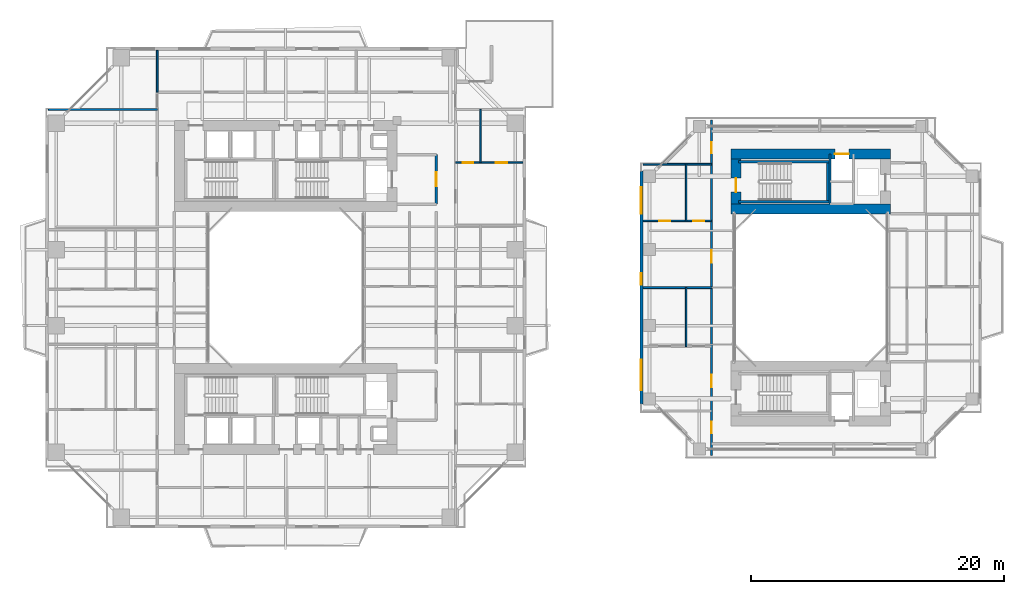
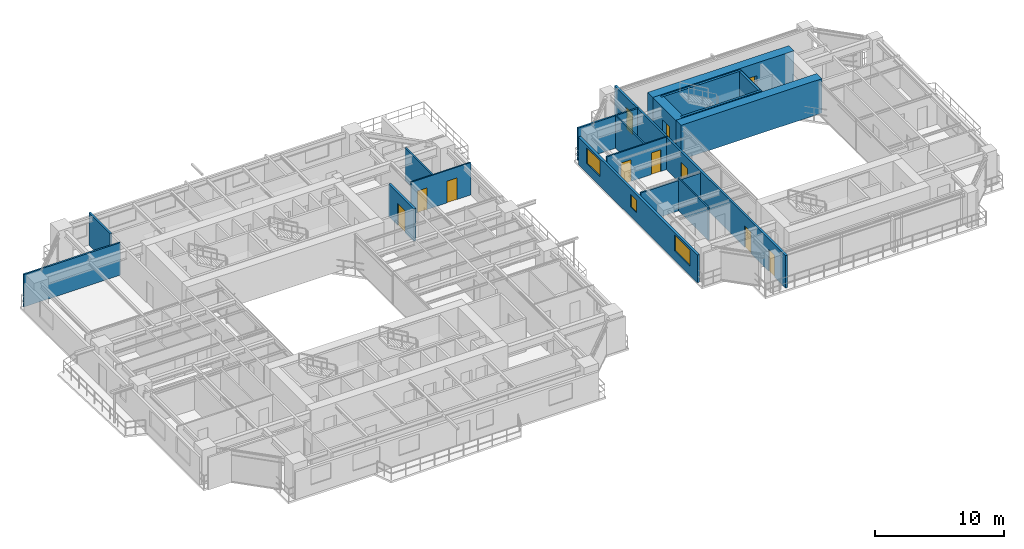
# One storey, part 16 of 23: 19 walls, 11 doors, 3 windows, 14 openings.
"""IFC4 building model written with IfcOpenShell, lengths in metres."""

from ifc_helpers import new_model, si_unit, direction, frame, frame_2d, origin, place, context, subcontext, project, spatial, rectangle, extrude, source, transform, mapped, material, layer, layer_set, type_object, element, fill, save


model = new_model("IFC4")

# Units and contexts
model_context = context("Model", 3, precision=1e-05, world=origin(), true_north=direction((0.0, 1.0)))
body_context = subcontext(model_context, "Body", "Model", "MODEL_VIEW")
ifc_project = project(units=[si_unit("LENGTHUNIT", "METRE"), si_unit("AREAUNIT", "SQUARE_METRE"), si_unit("VOLUMEUNIT", "CUBIC_METRE"), si_unit("PLANEANGLEUNIT", "RADIAN"), si_unit("MASSUNIT", "GRAM", prefix="KILO"), si_unit("THERMODYNAMICTEMPERATUREUNIT", "KELVIN"), si_unit("POWERUNIT", "WATT")], contexts=[model_context])

# Site, building, storey
site_placement = place(None, origin())
site = spatial("IfcSite", under=ifc_project, at=site_placement, CompositionType="ELEMENT")
building_placement = place(site_placement, origin())
building = spatial("IfcBuilding", under=site, at=building_placement, Name="Qiaomeng Ring Towers", CompositionType="ELEMENT")
storey_placement = place(building_placement, frame((0.0, 0.0, 32.75)))
storey = spatial("IfcBuildingStorey", under=building, at=storey_placement, Name="L08", CompositionType="ELEMENT", Elevation=32.75)

# Wall, openings, windows
ifc_material_1 = material(Name="Precast concrete C40", Category="concrete")
ifc_layer_1 = layer(ifc_material_1, 0.219970703125, Name="Precast concrete C40")
ifc_layer_set_1 = layer_set([ifc_layer_1], Name="Precast concrete C40")
wall_type_1 = type_object("IfcWallType", Name="ARC-WL-EW2", PredefinedType="STANDARD", material=ifc_layer_set_1)
wall_1_placement = place(storey_placement, frame((47.110107421875, 13.800048828125, 0.0), z_axis=(0.0, 0.0, 1.0), x_axis=(0.0, 1.0, 0.0)))
wall_1 = element("IfcWall", 1, at=wall_1_placement, inside=storey, type_object=wall_type_1, Name="L08 Companion West Wall", PredefinedType="STANDARD", context=body_context, shape_type="SweptSolid", body=[
    extrude(rectangle(XDim=18.39990234375, YDim=0.219970703125, at=frame_2d((9.199951171875, 0.0))), origin(), (0.0, 0.0, 1.0), 2.610107421875),
])
opening_1_placement = place(wall_1_placement, frame((1.10009765625, 0.0, 0.89990234375)))
opening_1 = element("IfcOpeningElement", 2, at=opening_1_placement, cuts=wall_1, Name="Opening WN6", PredefinedType="OPENING", context=body_context, shape_type="SweptSolid", body=[
    extrude(rectangle(XDim=2.39990234375, YDim=1.47998046875, at=frame_2d((1.199951171875, 0.739990234375))), frame((0.0, 0.119873046875, 0.0), z_axis=(0.0, -1.0, 0.0), x_axis=(1.0, 0.0, 0.0)), (0.0, 0.0, 1.0), 0.239990234375),
])
opening_2_placement = place(wall_1_placement, frame((15.050048828125, 0.0, 0.89990234375)))
opening_2 = element("IfcOpeningElement", 3, at=opening_2_placement, cuts=wall_1, Name="Opening WN4", PredefinedType="OPENING", context=body_context, shape_type="SweptSolid", body=[
    extrude(rectangle(XDim=2.10009765625, YDim=1.47998046875, at=frame_2d((1.050048828125, 0.739990234375))), frame((0.0, 0.119873046875, 0.0), z_axis=(0.0, -1.0, 0.0), x_axis=(1.0, 0.0, 0.0)), (0.0, 0.0, 1.0), 0.239990234375),
])
opening_3_placement = place(wall_1_placement, frame((9.43505859375, 0.0, 0.89990234375)))
opening_3 = element("IfcOpeningElement", 4, at=opening_3_placement, cuts=wall_1, Name="Opening WN5", PredefinedType="OPENING", context=body_context, shape_type="SweptSolid", body=[
    extrude(rectangle(XDim=0.89990234375, YDim=1.199951171875, at=frame_2d((0.449951171875, 0.60009765625))), frame((0.0, 0.119873046875, 0.0), z_axis=(0.0, -1.0, 0.0), x_axis=(1.0, 0.0, 0.0)), (0.0, 0.0, 1.0), 0.239990234375),
])
ifc_material_2 = material(Name="Low-E dark-grey laminated double glazing", Category="glass")
window_type_1 = type_object("IfcWindowType", Name="ARC-WN-4", PartitioningType="TRIPLE_PANEL_VERTICAL", PredefinedType="WINDOW", material=ifc_material_2)
shared_shape_1 = source(origin(), body_context, "Body", "SweptSolid", [
    extrude(rectangle(XDim=2.10009765625, YDim=1.47998046875, at=frame_2d((1.050048828125, 0.739990234375))), frame((0.0, 0.030029296875, 0.0), z_axis=(0.0, -1.0, 0.0), x_axis=(1.0, 0.0, 0.0)), (0.0, 0.0, 1.0), 0.06005859375),
])
window_1_placement = place(opening_2_placement, origin())
window_1 = element("IfcWindow", 5, at=window_1_placement, inside=storey, type_object=window_type_1, Name="L08 Exterior Window WN4", OverallHeight=1.47998046875, OverallWidth=2.10009765625, PartitioningType="TRIPLE_PANEL_VERTICAL", PredefinedType="WINDOW", context=body_context, shape_type="MappedRepresentation", body=[
    mapped(shared_shape_1, transform((0.0, 0.0, 0.0), x_axis=(1.0, 0.0, 0.0), y_axis=(0.0, 1.0, 0.0), z_axis=(0.0, 0.0, 1.0), scale=1.0)),
])
fill(opening_2, window_1)
window_type_2 = type_object("IfcWindowType", Name="ARC-WN-6", PartitioningType="TRIPLE_PANEL_VERTICAL", PredefinedType="WINDOW", material=ifc_material_2)
shared_shape_2 = source(origin(), body_context, "Body", "SweptSolid", [
    extrude(rectangle(XDim=2.39990234375, YDim=1.47998046875, at=frame_2d((1.199951171875, 0.739990234375))), frame((0.0, 0.030029296875, 0.0), z_axis=(0.0, -1.0, 0.0), x_axis=(1.0, 0.0, 0.0)), (0.0, 0.0, 1.0), 0.06005859375),
])
window_2_placement = place(opening_1_placement, origin())
window_2 = element("IfcWindow", 6, at=window_2_placement, inside=storey, type_object=window_type_2, Name="L08 Exterior Window WN6", OverallHeight=1.47998046875, OverallWidth=2.39990234375, PartitioningType="TRIPLE_PANEL_VERTICAL", PredefinedType="WINDOW", context=body_context, shape_type="MappedRepresentation", body=[
    mapped(shared_shape_2, transform((0.0, 0.0, 0.0), x_axis=(1.0, 0.0, 0.0), y_axis=(0.0, 1.0, 0.0), z_axis=(0.0, 0.0, 1.0), scale=1.0)),
])
fill(opening_1, window_2)
window_type_3 = type_object("IfcWindowType", Name="ARC-WN-5", PartitioningType="SINGLE_PANEL", PredefinedType="WINDOW", material=ifc_material_2)
shared_shape_3 = source(origin(), body_context, "Body", "SweptSolid", [
    extrude(rectangle(XDim=0.89990234375, YDim=1.199951171875, at=frame_2d((0.449951171875, 0.60009765625))), frame((0.0, 0.030029296875, 0.0), z_axis=(0.0, -1.0, 0.0), x_axis=(1.0, 0.0, 0.0)), (0.0, 0.0, 1.0), 0.06005859375),
])
window_3_placement = place(opening_3_placement, origin())
window_3 = element("IfcWindow", 7, at=window_3_placement, inside=storey, type_object=window_type_3, Name="L08 Exterior Window WN5", OverallHeight=1.199951171875, OverallWidth=0.89990234375, PartitioningType="SINGLE_PANEL", PredefinedType="WINDOW", context=body_context, shape_type="MappedRepresentation", body=[
    mapped(shared_shape_3, transform((0.0, 0.0, 0.0), x_axis=(1.0, 0.0, 0.0), y_axis=(0.0, 1.0, 0.0), z_axis=(0.0, 0.0, 1.0), scale=1.0)),
])
fill(opening_3, window_3)

# Wall, opening, door
ifc_material_3 = material(Name="Autoclaved aerated concrete block", Category="concrete")
ifc_layer_2 = layer(ifc_material_3, 0.199951171875, Name="Autoclaved aerated concrete block")
ifc_layer_set_2 = layer_set([ifc_layer_2], Name="Autoclaved aerated concrete block")
wall_type_2 = type_object("IfcWallType", Name="ARC-WL-PW1", PredefinedType="PARTITIONING", material=ifc_layer_set_2)
wall_2_placement = place(storey_placement, frame((30.89990234375, 29.60009765625, 0.0), z_axis=(0.0, 0.0, 1.0), x_axis=(0.0, 1.0, 0.0)))
wall_2 = element("IfcWall", 8, at=wall_2_placement, inside=storey, type_object=wall_type_2, Name="L08 Interior Wall PW1", PredefinedType="PARTITIONING", context=body_context, shape_type="SweptSolid", body=[
    extrude(rectangle(XDim=3.89990234375, YDim=0.199951171875, at=frame_2d((1.949951171875, 0.0))), origin(), (0.0, 0.0, 1.0), 3.070068359375),
])
opening_4_placement = place(wall_2_placement, frame((1.39990234375, 0.0, 0.0)))
opening_4 = element("IfcOpeningElement", 9, at=opening_4_placement, cuts=wall_2, Name="Opening FD3", PredefinedType="OPENING", context=body_context, shape_type="SweptSolid", body=[
    extrude(rectangle(XDim=1.10009765625, YDim=2.050048828125, at=frame_2d((0.550048828125, 1.02490234375))), frame((0.0, 0.10986328125, 0.0), z_axis=(0.0, -1.0, 0.0), x_axis=(1.0, 0.0, 0.0)), (0.0, 0.0, 1.0), 0.219970703125),
])
ifc_material_4 = material(Name="Galvanised steel", Category="steel")
door_type_1 = type_object("IfcDoorType", Name="ARC-DR-FD3", OperationType="NOTDEFINED", PredefinedType="DOOR", material=ifc_material_4)
shared_shape_4 = source(origin(), body_context, "Body", "SweptSolid", [
    extrude(rectangle(XDim=1.10009765625, YDim=2.050048828125, at=frame_2d((0.550048828125, 1.02490234375))), frame((0.0, 0.02490234375, 0.0), z_axis=(0.0, -1.0, 0.0), x_axis=(1.0, 0.0, 0.0)), (0.0, 0.0, 1.0), 0.050048828125),
])
door_1_placement = place(opening_4_placement, origin())
door_1 = element("IfcDoor", 10, at=door_1_placement, inside=storey, type_object=door_type_1, Name="L08 North FF Lobby Door", OperationType="SINGLE_SWING_RIGHT", OverallHeight=2.050048828125, OverallWidth=1.10009765625, PredefinedType="DOOR", context=body_context, shape_type="MappedRepresentation", body=[
    mapped(shared_shape_4, transform((0.0, 0.0, 0.0), x_axis=(1.0, 0.0, 0.0), y_axis=(0.0, 1.0, 0.0), z_axis=(0.0, 0.0, 1.0), scale=1.0)),
])
fill(opening_4, door_1)

# Wall, openings, doors
ifc_layer_3 = layer(ifc_material_3, 0.179931640625, Name="Autoclaved aerated concrete block")
ifc_layer_set_3 = layer_set([ifc_layer_3], Name="Autoclaved aerated concrete block")
wall_type_3 = type_object("IfcWallType", Name="ARC-WL-PW2", PredefinedType="PARTITIONING", material=ifc_layer_set_3)
wall_3_placement = place(storey_placement, frame((52.64990234375, 9.75, 0.0), z_axis=(0.0, 0.0, 1.0), x_axis=(0.0, 1.0, 0.0)))
wall_3 = element("IfcWall", 11, at=wall_3_placement, inside=storey, type_object=wall_type_3, Name="L08 Interior Wall PW2", PredefinedType="PARTITIONING", context=body_context, shape_type="SweptSolid", body=[
    extrude(rectangle(XDim=26.5, YDim=0.179931640625, at=frame_2d((13.25, 0.0))), origin(), (0.0, 0.0, 1.0), 3.070068359375),
])
opening_5_placement = place(wall_3_placement, frame((23.85009765625, 0.0, 0.0)))
opening_5 = element("IfcOpeningElement", 12, at=opening_5_placement, cuts=wall_3, Name="Opening ID1", PredefinedType="OPENING", context=body_context, shape_type="SweptSolid", body=[
    extrude(rectangle(XDim=0.89990234375, YDim=2.050048828125, at=frame_2d((0.449951171875, 1.02490234375))), frame((0.0, 0.099853515625, 0.0), z_axis=(0.0, -1.0, 0.0), x_axis=(1.0, 0.0, 0.0)), (0.0, 0.0, 1.0), 0.199951171875),
])
opening_6_placement = place(wall_3_placement, frame((1.75, 0.0, 0.0)))
opening_6 = element("IfcOpeningElement", 13, at=opening_6_placement, cuts=wall_3, Name="Opening ID1", PredefinedType="OPENING", context=body_context, shape_type="SweptSolid", body=[
    extrude(rectangle(XDim=0.89990234375, YDim=2.050048828125, at=frame_2d((0.449951171875, 1.02490234375))), frame((0.0, 0.099853515625, 0.0), z_axis=(0.0, -1.0, 0.0), x_axis=(1.0, 0.0, 0.0)), (0.0, 0.0, 1.0), 0.199951171875),
])
opening_7_placement = place(wall_3_placement, frame((5.35498046875, 0.0, 0.0)))
opening_7 = element("IfcOpeningElement", 14, at=opening_7_placement, cuts=wall_3, Name="Opening FD4", PredefinedType="OPENING", context=body_context, shape_type="SweptSolid", body=[
    extrude(rectangle(XDim=1.0, YDim=2.050048828125, at=frame_2d((0.5, 1.02490234375))), frame((0.0, 0.099853515625, 0.0), z_axis=(0.0, -1.0, 0.0), x_axis=(1.0, 0.0, 0.0)), (0.0, 0.0, 1.0), 0.199951171875),
])
opening_8_placement = place(wall_3_placement, frame((15.195068359375, 0.0, 0.0)))
opening_8 = element("IfcOpeningElement", 15, at=opening_8_placement, cuts=wall_3, Name="Opening FD4", PredefinedType="OPENING", context=body_context, shape_type="SweptSolid", body=[
    extrude(rectangle(XDim=1.0, YDim=2.050048828125, at=frame_2d((0.5, 1.02490234375))), frame((0.0, 0.099853515625, 0.0), z_axis=(0.0, -1.0, 0.0), x_axis=(1.0, 0.0, 0.0)), (0.0, 0.0, 1.0), 0.199951171875),
])
ifc_material_5 = material(Name="Engineered fire-rated oak timber", Category="wood")
door_type_2 = type_object("IfcDoorType", Name="ARC-DR-FD4", OperationType="NOTDEFINED", PredefinedType="DOOR", material=ifc_material_5)
shared_shape_5 = source(origin(), body_context, "Body", "SweptSolid", [
    extrude(rectangle(XDim=1.0, YDim=2.050048828125, at=frame_2d((0.5, 1.02490234375))), frame((0.0, 0.02490234375, 0.0), z_axis=(0.0, -1.0, 0.0), x_axis=(1.0, 0.0, 0.0)), (0.0, 0.0, 1.0), 0.050048828125),
])
door_2_placement = place(opening_7_placement, origin())
door_2 = element("IfcDoor", 16, at=door_2_placement, inside=storey, type_object=door_type_2, Name="L08 Door FD4", OperationType="SINGLE_SWING_RIGHT", OverallHeight=2.050048828125, OverallWidth=1.0, PredefinedType="DOOR", context=body_context, shape_type="MappedRepresentation", body=[
    mapped(shared_shape_5, transform((0.0, 0.0, 0.0), x_axis=(1.0, 0.0, 0.0), y_axis=(0.0, 1.0, 0.0), z_axis=(0.0, 0.0, 1.0), scale=1.0)),
])
fill(opening_7, door_2)
door_3_placement = place(opening_8_placement, origin())
door_3 = element("IfcDoor", 17, at=door_3_placement, inside=storey, type_object=door_type_2, Name="L08 Door FD4", OperationType="SINGLE_SWING_LEFT", OverallHeight=2.050048828125, OverallWidth=1.0, PredefinedType="DOOR", context=body_context, shape_type="MappedRepresentation", body=[
    mapped(shared_shape_5, transform((0.0, 0.0, 0.0), x_axis=(1.0, 0.0, 0.0), y_axis=(0.0, 1.0, 0.0), z_axis=(0.0, 0.0, 1.0), scale=1.0)),
])
fill(opening_8, door_3)
ifc_material_6 = material(Name="Engineered oak timber", Category="wood")
door_type_3 = type_object("IfcDoorType", Name="ARC-DR-ID1", OperationType="NOTDEFINED", PredefinedType="DOOR", material=ifc_material_6)
shared_shape_6 = source(origin(), body_context, "Body", "SweptSolid", [
    extrude(rectangle(XDim=0.89990234375, YDim=2.050048828125, at=frame_2d((0.449951171875, 1.02490234375))), frame((0.0, 0.02490234375, 0.0), z_axis=(0.0, -1.0, 0.0), x_axis=(1.0, 0.0, 0.0)), (0.0, 0.0, 1.0), 0.050048828125),
])
door_4_placement = place(opening_5_placement, origin())
door_4 = element("IfcDoor", 18, at=door_4_placement, inside=storey, type_object=door_type_3, Name="L08 Door ID1", OperationType="SINGLE_SWING_RIGHT", OverallHeight=2.050048828125, OverallWidth=0.89990234375, PredefinedType="DOOR", context=body_context, shape_type="MappedRepresentation", body=[
    mapped(shared_shape_6, transform((0.0, 0.0, 0.0), x_axis=(1.0, 0.0, 0.0), y_axis=(0.0, 1.0, 0.0), z_axis=(0.0, 0.0, 1.0), scale=1.0)),
])
fill(opening_5, door_4)
door_5_placement = place(opening_6_placement, origin())
door_5 = element("IfcDoor", 19, at=door_5_placement, inside=storey, type_object=door_type_3, Name="L08 Door ID1", OperationType="SINGLE_SWING_LEFT", OverallHeight=2.050048828125, OverallWidth=0.89990234375, PredefinedType="DOOR", context=body_context, shape_type="MappedRepresentation", body=[
    mapped(shared_shape_6, transform((0.0, 0.0, 0.0), x_axis=(1.0, 0.0, 0.0), y_axis=(0.0, 1.0, 0.0), z_axis=(0.0, 0.0, 1.0), scale=1.0)),
])
fill(opening_6, door_5)

# Walls
ifc_material_7 = material(Name="Gypsum fireboard steel-stud partition", Category="steel")
ifc_layer_4 = layer(ifc_material_7, 0.14990234375, Name="Gypsum fireboard steel-stud partition")
ifc_layer_set_4 = layer_set([ifc_layer_4], Name="Gypsum fireboard steel-stud partition")
wall_type_4 = type_object("IfcWallType", Name="ARC-WL-PW3", PredefinedType="PARTITIONING", material=ifc_layer_set_4)
wall_4_placement = place(storey_placement, frame((8.85009765625, 38.43994140625, 0.0), z_axis=(0.0, 0.0, 1.0), x_axis=(0.0, 1.0, 0.0)))
element("IfcWall", 20, at=wall_4_placement, inside=storey, type_object=wall_type_4, Name="L08 Interior Wall PW3", PredefinedType="PARTITIONING", context=body_context, shape_type="SweptSolid", body=[
    extrude(rectangle(XDim=3.31005859375, YDim=0.14990234375, at=frame_2d((1.655029296875, 0.0))), origin(), (0.0, 0.0, 1.0), 3.070068359375),
])
wall_5_placement = place(storey_placement, frame((0.25, 37.080078125, 0.0), z_axis=(0.0, 0.0, 1.0), x_axis=(1.0, 0.0, 0.0)))
element("IfcWall", 21, at=wall_5_placement, inside=storey, type_object=wall_type_4, Name="L08 Interior Wall PW3", PredefinedType="PARTITIONING", context=body_context, shape_type="SweptSolid", body=[
    extrude(rectangle(XDim=8.60009765625, YDim=0.14990234375, at=frame_2d((4.300048828125, 0.0))), origin(), (0.0, 0.0, 1.0), 3.070068359375),
])
wall_6_placement = place(storey_placement, frame((47.25, 32.75, 0.0), z_axis=(0.0, 0.0, 1.0), x_axis=(1.0, 0.0, 0.0)))
element("IfcWall", 22, at=wall_6_placement, inside=storey, type_object=wall_type_4, Name="L08 Interior Wall PW3", PredefinedType="PARTITIONING", context=body_context, shape_type="SweptSolid", body=[
    extrude(rectangle(XDim=5.39990234375, YDim=0.14990234375, at=frame_2d((2.699951171875, 0.0))), origin(), (0.0, 0.0, 1.0), 3.070068359375),
])
wall_7_placement = place(storey_placement, frame((47.25, 23.0, 0.0), z_axis=(0.0, 0.0, 1.0), x_axis=(1.0, 0.0, 0.0)))
element("IfcWall", 23, at=wall_7_placement, inside=storey, type_object=wall_type_4, Name="L08 Interior Wall PW3", PredefinedType="PARTITIONING", context=body_context, shape_type="SweptSolid", body=[
    extrude(rectangle(XDim=5.39990234375, YDim=0.14990234375, at=frame_2d((2.699951171875, 0.0))), origin(), (0.0, 0.0, 1.0), 2.864990234375),
])

# Wall, openings, doors
ifc_material_8 = material(Name="Moisture-resistant gypsum steel-stud partition", Category="steel")
ifc_layer_5 = layer(ifc_material_8, 0.1201171875, Name="Moisture-resistant gypsum steel-stud partition")
ifc_layer_set_5 = layer_set([ifc_layer_5], Name="Moisture-resistant gypsum steel-stud partition")
wall_type_5 = type_object("IfcWallType", Name="ARC-WL-PW4", PredefinedType="PLUMBINGWALL", material=ifc_layer_set_5)
wall_8_placement = place(storey_placement, frame((32.419921875, 32.8701171875, 0.0), z_axis=(0.0, 0.0, 1.0), x_axis=(1.0, 0.0, 0.0)))
wall_8 = element("IfcWall", 24, at=wall_8_placement, inside=storey, type_object=wall_type_5, Name="L08 Interior Wall PW4", PredefinedType="PLUMBINGWALL", context=body_context, shape_type="SweptSolid", body=[
    extrude(rectangle(XDim=5.330078125, YDim=0.1201171875, at=frame_2d((2.6650390625, 0.0))), origin(), (0.0, 0.0, 1.0), 3.070068359375),
])
opening_9_placement = place(wall_8_placement, frame((0.570068359375, 0.0, 0.0)))
opening_9 = element("IfcOpeningElement", 25, at=opening_9_placement, cuts=wall_8, Name="Opening ID2", PredefinedType="OPENING", context=body_context, shape_type="SweptSolid", body=[
    extrude(rectangle(XDim=0.85009765625, YDim=2.050048828125, at=frame_2d((0.425048828125, 1.02490234375))), frame((0.0, 0.070068359375, 0.0), z_axis=(0.0, -1.0, 0.0), x_axis=(1.0, 0.0, 0.0)), (0.0, 0.0, 1.0), 0.14013671875),
])
opening_10_placement = place(wall_8_placement, frame((3.18994140625, 0.0, 0.0)))
opening_10 = element("IfcOpeningElement", 26, at=opening_10_placement, cuts=wall_8, Name="Opening ID1", PredefinedType="OPENING", context=body_context, shape_type="SweptSolid", body=[
    extrude(rectangle(XDim=0.89990234375, YDim=2.050048828125, at=frame_2d((0.449951171875, 1.02490234375))), frame((0.0, 0.070068359375, 0.0), z_axis=(0.0, -1.0, 0.0), x_axis=(1.0, 0.0, 0.0)), (0.0, 0.0, 1.0), 0.14013671875),
])
ifc_material_9 = material(Name="Moisture-resistant engineered timber", Category="wood")
door_type_4 = type_object("IfcDoorType", Name="ARC-DR-ID2", OperationType="NOTDEFINED", PredefinedType="DOOR", material=ifc_material_9)
shared_shape_7 = source(origin(), body_context, "Body", "SweptSolid", [
    extrude(rectangle(XDim=0.85009765625, YDim=2.050048828125, at=frame_2d((0.425048828125, 1.02490234375))), frame((0.0, 0.02490234375, 0.0), z_axis=(0.0, -1.0, 0.0), x_axis=(1.0, 0.0, 0.0)), (0.0, 0.0, 1.0), 0.050048828125),
])
door_6_placement = place(opening_9_placement, origin())
door_6 = element("IfcDoor", 27, at=door_6_placement, inside=storey, type_object=door_type_4, Name="L08 Door ID2", OperationType="SINGLE_SWING_RIGHT", OverallHeight=2.050048828125, OverallWidth=0.85009765625, PredefinedType="DOOR", context=body_context, shape_type="MappedRepresentation", body=[
    mapped(shared_shape_7, transform((0.0, 0.0, 0.0), x_axis=(1.0, 0.0, 0.0), y_axis=(0.0, 1.0, 0.0), z_axis=(0.0, 0.0, 1.0), scale=1.0)),
])
fill(opening_9, door_6)
door_7_placement = place(opening_10_placement, origin())
door_7 = element("IfcDoor", 28, at=door_7_placement, inside=storey, type_object=door_type_3, Name="L08 Door ID1", OperationType="SINGLE_SWING_LEFT", OverallHeight=2.050048828125, OverallWidth=0.89990234375, PredefinedType="DOOR", context=body_context, shape_type="MappedRepresentation", body=[
    mapped(shared_shape_6, transform((0.0, 0.0, 0.0), x_axis=(1.0, 0.0, 0.0), y_axis=(0.0, 1.0, 0.0), z_axis=(0.0, 0.0, 1.0), scale=1.0)),
])
fill(opening_10, door_7)

# Walls
wall_9_placement = place(storey_placement, frame((34.389892578125, 32.8701171875, 0.0), z_axis=(0.0, 0.0, 1.0), x_axis=(0.0, 1.0, 0.0)))
element("IfcWall", 29, at=wall_9_placement, inside=storey, type_object=wall_type_5, Name="L08 Interior Wall PW4", PredefinedType="PLUMBINGWALL", context=body_context, shape_type="SweptSolid", body=[
    extrude(rectangle(XDim=4.2099609375, YDim=0.1201171875, at=frame_2d((2.10498046875, 0.0))), origin(), (0.0, 0.0, 1.0), 3.070068359375),
])
wall_10_placement = place(storey_placement, frame((50.64990234375, 18.340087890625, 0.0), z_axis=(0.0, 0.0, 1.0), x_axis=(0.0, 1.0, 0.0)))
element("IfcWall", 30, at=wall_10_placement, inside=storey, type_object=wall_type_5, Name="L08 Interior Wall PW4", PredefinedType="PLUMBINGWALL", context=body_context, shape_type="SweptSolid", body=[
    extrude(rectangle(XDim=4.659912109375, YDim=0.1201171875, at=frame_2d((2.330078125, 0.0))), origin(), (0.0, 0.0, 1.0), 3.070068359375),
])

# Wall, openings, doors
wall_11_placement = place(storey_placement, frame((47.25, 28.27001953125, 0.0), z_axis=(0.0, 0.0, 1.0), x_axis=(1.0, 0.0, 0.0)))
wall_11 = element("IfcWall", 31, at=wall_11_placement, inside=storey, type_object=wall_type_5, Name="L08 Interior Wall PW4", PredefinedType="PLUMBINGWALL", context=body_context, shape_type="SweptSolid", body=[
    extrude(rectangle(XDim=5.39990234375, YDim=0.1201171875, at=frame_2d((2.699951171875, 0.0))), origin(), (0.0, 0.0, 1.0), 3.070068359375),
])
opening_11_placement = place(wall_11_placement, frame((1.260009765625, 0.0, 0.0)))
opening_11 = element("IfcOpeningElement", 32, at=opening_11_placement, cuts=wall_11, Name="Opening ID1", PredefinedType="OPENING", context=body_context, shape_type="SweptSolid", body=[
    extrude(rectangle(XDim=0.89990234375, YDim=2.050048828125, at=frame_2d((0.449951171875, 1.02490234375))), frame((0.0, 0.070068359375, 0.0), z_axis=(0.0, -1.0, 0.0), x_axis=(1.0, 0.0, 0.0)), (0.0, 0.0, 1.0), 0.14013671875),
])
opening_12_placement = place(wall_11_placement, frame((3.965087890625, 0.0, 0.0)))
opening_12 = element("IfcOpeningElement", 33, at=opening_12_placement, cuts=wall_11, Name="Opening ID2", PredefinedType="OPENING", context=body_context, shape_type="SweptSolid", body=[
    extrude(rectangle(XDim=0.85009765625, YDim=2.050048828125, at=frame_2d((0.425048828125, 1.02490234375))), frame((0.0, 0.070068359375, 0.0), z_axis=(0.0, -1.0, 0.0), x_axis=(1.0, 0.0, 0.0)), (0.0, 0.0, 1.0), 0.14013671875),
])
door_8_placement = place(opening_12_placement, origin())
door_8 = element("IfcDoor", 34, at=door_8_placement, inside=storey, type_object=door_type_4, Name="L08 Door ID2", OperationType="SINGLE_SWING_LEFT", OverallHeight=2.050048828125, OverallWidth=0.85009765625, PredefinedType="DOOR", context=body_context, shape_type="MappedRepresentation", body=[
    mapped(shared_shape_7, transform((0.0, 0.0, 0.0), x_axis=(1.0, 0.0, 0.0), y_axis=(0.0, 1.0, 0.0), z_axis=(0.0, 0.0, 1.0), scale=1.0)),
])
fill(opening_12, door_8)
door_9_placement = place(opening_11_placement, origin())
door_9 = element("IfcDoor", 35, at=door_9_placement, inside=storey, type_object=door_type_3, Name="L08 Door ID1", OperationType="SINGLE_SWING_RIGHT", OverallHeight=2.050048828125, OverallWidth=0.89990234375, PredefinedType="DOOR", context=body_context, shape_type="MappedRepresentation", body=[
    mapped(shared_shape_6, transform((0.0, 0.0, 0.0), x_axis=(1.0, 0.0, 0.0), y_axis=(0.0, 1.0, 0.0), z_axis=(0.0, 0.0, 1.0), scale=1.0)),
])
fill(opening_11, door_9)

# Walls
wall_12_placement = place(storey_placement, frame((50.64990234375, 28.27001953125, 0.0), z_axis=(0.0, 0.0, 1.0), x_axis=(0.0, 1.0, 0.0)))
element("IfcWall", 36, at=wall_12_placement, inside=storey, type_object=wall_type_5, Name="L08 Interior Wall PW4", PredefinedType="PLUMBINGWALL", context=body_context, shape_type="SweptSolid", body=[
    extrude(rectangle(XDim=4.47998046875, YDim=0.1201171875, at=frame_2d((2.239990234375, 0.0))), origin(), (0.0, 0.0, 1.0), 3.070068359375),
])
ifc_material_10 = material(Name="Concrete C40", Category="concrete")
ifc_layer_6 = layer(ifc_material_10, 0.199951171875, Name="Concrete C40")
ifc_layer_set_6 = layer_set([ifc_layer_6], Name="Concrete C40")
wall_type_6 = type_object("IfcWallType", Name="STR-WL-STSHAFT", PredefinedType="SHEAR", material=ifc_layer_set_6)
wall_13_placement = place(storey_placement, frame((62.02001953125, 29.60009765625, 0.0), z_axis=(0.0, 0.0, 1.0), x_axis=(0.0, 1.0, 0.0)))
element("IfcWall", 37, at=wall_13_placement, inside=storey, type_object=wall_type_6, Name="L08 Companion Lift Shaft West Wall N", PredefinedType="SHEAR", context=body_context, shape_type="SweptSolid", body=[
    extrude(rectangle(XDim=3.949951171875, YDim=0.179931640625, at=frame_2d((1.97509765625, 0.0))), origin(), (0.0, 0.0, 1.0), 3.070068359375),
])
for number, where, z_axis, x_axis, name in (
    (38, (54.800048828125, 29.800048828125, 0.0), (0.0, 0.0, 1.0), (1.0, 0.0, 0.0), "L08 Stair ST5 South Shaft Shear Wall"),
    (39, (54.800048828125, 32.93994140625, 0.0), (0.0, 0.0, 1.0), (1.0, 0.0, 0.0), "L08 Stair ST5 North Shaft Shear Wall"),
):
    element("IfcWall", number, at=place(storey_placement, frame(where, z_axis=z_axis, x_axis=x_axis)), inside=storey, type_object=wall_type_6, Name=name, PredefinedType="SHEAR", context=body_context, shape_type="SweptSolid", body=[
        extrude(rectangle(XDim=7.14990234375, YDim=0.199951171875, at=frame_2d((3.574951171875, 0.0))), origin(), (0.0, 0.0, 1.0), 3.25),
    ])
wall_14_placement = place(storey_placement, frame((61.85009765625, 29.89990234375, 0.0), z_axis=(0.0, 0.0, 1.0), x_axis=(0.0, 1.0, 0.0)))
element("IfcWall", 40, at=wall_14_placement, inside=storey, type_object=wall_type_6, Name="L08 Stair ST5 East Shaft Shear Wall", PredefinedType="SHEAR", context=body_context, shape_type="SweptSolid", body=[
    extrude(rectangle(XDim=2.940185546875, YDim=0.199951171875, at=frame_2d((1.47021484375, 0.0))), origin(), (0.0, 0.0, 1.0), 3.25),
])
ifc_material_11 = material(Name="Concrete C60", Category="concrete")
ifc_layer_7 = layer(ifc_material_11, 0.800048828125, Name="Concrete C60")
ifc_layer_set_7 = layer_set([ifc_layer_7], Name="Concrete C60")
wall_type_7 = type_object("IfcWallType", Name="STR-WL-SW1", PredefinedType="SHEAR", material=ifc_layer_set_7)
wall_15_placement = place(storey_placement, frame((54.199951171875, 29.199951171875, 0.0), z_axis=(0.0, 0.0, 1.0), x_axis=(1.0, 0.0, 0.0)))
element("IfcWall", 41, at=wall_15_placement, inside=storey, type_object=wall_type_7, Name="L08 T2NC south core shear wall", PredefinedType="SHEAR", context=body_context, shape_type="SweptSolid", body=[
    extrude(rectangle(XDim=12.60009765625, YDim=0.800048828125, at=frame_2d((6.300048828125, 0.0))), origin(), (0.0, 0.0, 1.0), 3.25),
])

# Wall, opening, door
wall_16_placement = place(storey_placement, frame((54.199951171875, 33.550048828125, 0.0), z_axis=(0.0, 0.0, 1.0), x_axis=(1.0, 0.0, 0.0)))
wall_16 = element("IfcWall", 42, at=wall_16_placement, inside=storey, type_object=wall_type_7, Name="L08 T2NC north core shear wall", PredefinedType="SHEAR", context=body_context, shape_type="SweptSolid", body=[
    extrude(rectangle(XDim=12.60009765625, YDim=0.800048828125, at=frame_2d((6.300048828125, 0.0))), origin(), (0.0, 0.0, 1.0), 3.25),
])
opening_13_placement = place(wall_16_placement, frame((8.199951171875, 0.0, 0.0)))
opening_13 = element("IfcOpeningElement", 43, at=opening_13_placement, cuts=wall_16, Name="Opening LD1", PredefinedType="OPENING", context=body_context, shape_type="SweptSolid", body=[
    extrude(rectangle(XDim=1.10009765625, YDim=2.050048828125, at=frame_2d((0.550048828125, 1.02490234375))), frame((0.0, 0.409912109375, 0.0), z_axis=(0.0, -1.0, 0.0), x_axis=(1.0, 0.0, 0.0)), (0.0, 0.0, 1.0), 0.820068359375),
])
ifc_material_12 = material(Name="Stainless steel 316", Category="steel")
door_type_5 = type_object("IfcDoorType", Name="ARC-DR-LD1", OperationType="NOTDEFINED", PredefinedType="DOOR", material=ifc_material_12)
door_10_placement = place(opening_13_placement, origin())
door_10 = element("IfcDoor", 44, at=door_10_placement, inside=storey, type_object=door_type_5, Name="L08 Companion Lift LP7 Landing Door", OperationType="SLIDING_TO_LEFT", OverallHeight=2.050048828125, OverallWidth=1.10009765625, PredefinedType="DOOR", context=body_context, shape_type="MappedRepresentation", body=[
    mapped(shared_shape_4, transform((0.0, 0.0, 0.0), x_axis=(1.0, 0.0, 0.0), y_axis=(0.0, 1.0, 0.0), z_axis=(0.0, 0.0, 1.0), scale=1.0)),
])
fill(opening_13, door_10)

wall_17_placement = place(storey_placement, frame((54.60009765625, 29.60009765625, 0.0), z_axis=(0.0, 0.0, 1.0), x_axis=(0.0, 1.0, 0.0)))
wall_17 = element("IfcWall", 45, at=wall_17_placement, inside=storey, type_object=wall_type_7, Name="L08 T2NC west core shear wall", PredefinedType="SHEAR", context=body_context, shape_type="SweptSolid", body=[
    extrude(rectangle(XDim=3.5498046875, YDim=0.800048828125, at=frame_2d((1.77490234375, 0.0))), origin(), (0.0, 0.0, 1.0), 3.25),
])
opening_14_placement = place(wall_17_placement, frame((0.949951171875, 0.0, 0.0)))
opening_14 = element("IfcOpeningElement", 46, at=opening_14_placement, cuts=wall_17, Name="Opening FD3", PredefinedType="OPENING", context=body_context, shape_type="SweptSolid", body=[
    extrude(rectangle(XDim=1.10009765625, YDim=2.050048828125, at=frame_2d((0.550048828125, 1.02490234375))), frame((0.0, 0.409912109375, 0.0), z_axis=(0.0, -1.0, 0.0), x_axis=(1.0, 0.0, 0.0)), (0.0, 0.0, 1.0), 0.820068359375),
])
door_11_placement = place(opening_14_placement, origin())
door_11 = element("IfcDoor", 47, at=door_11_placement, inside=storey, type_object=door_type_1, Name="L08 Stair ST5 Exit Door", OperationType="SINGLE_SWING_LEFT", OverallHeight=2.050048828125, OverallWidth=1.10009765625, PredefinedType="DOOR", context=body_context, shape_type="MappedRepresentation", body=[
    mapped(shared_shape_4, transform((0.0, 0.0, 0.0), x_axis=(1.0, 0.0, 0.0), y_axis=(0.0, 1.0, 0.0), z_axis=(0.0, 0.0, 1.0), scale=1.0)),
])
fill(opening_14, door_11)

save(model, "model.ifc")
